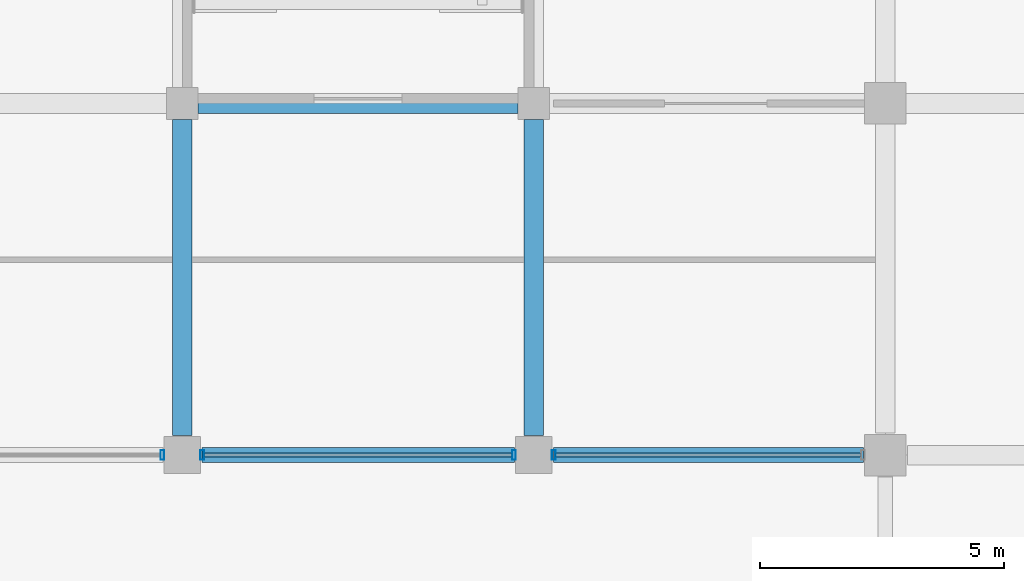
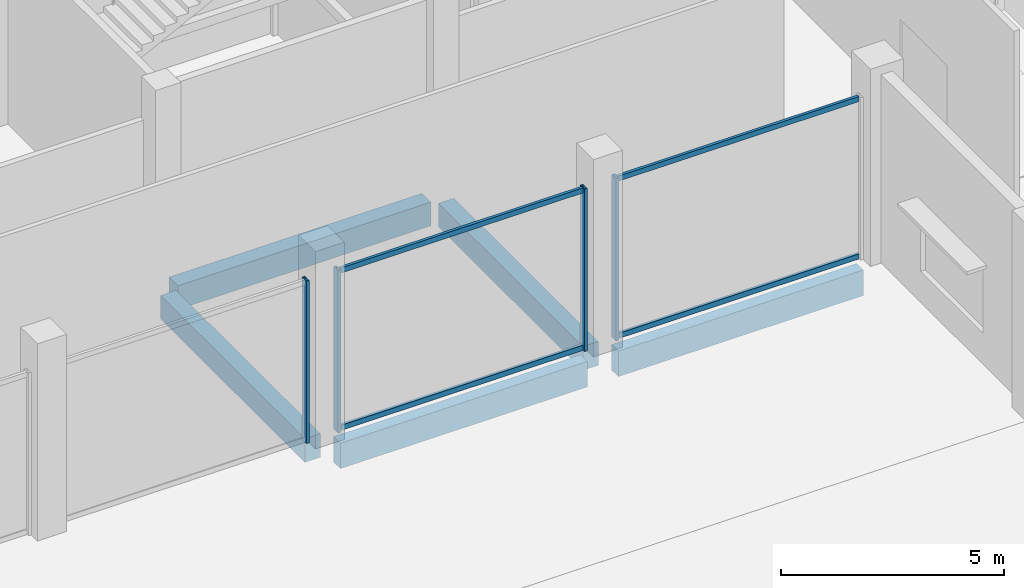
# One storey, part 44 of 90: 8 members, 5 beams, 3 elements without a shape of their own.
"""IFC4 building model written with IfcOpenShell, lengths in metres."""

import ifcopenshell
import ifcopenshell.guid

model = None  # the IFC model being written
_history = None  # IfcOwnerHistory: only IFC2X3 demands one
_inside = {}  # id of a spatial element -> (the spatial element, [elements in it])
_under = {}  # id of a project, library or spatial element -> (it, [spatial elements below it])
_declared = {}  # id of a project -> (the project, [libraries it declares])
_typed = {}  # id of a type object -> (the type object, [elements of that type])
_made_of = {}  # id of a material, layer set ... -> (it, [elements and type objects made of it])


def new_model(schema):
    """Start an empty IFC model of exactly this schema.

    Asked for "IFC4X3", IfcOpenShell would pick the latest addendum, in which some entities
    have other attributes; the version numbers below select the first issue.
    IFC2X3 requires an IfcOwnerHistory on every rooted entity: one is made here for all.
    """
    global model, _history
    if schema == "IFC4X3":
        model = ifcopenshell.file(schema_version=(4, 3, 0, 0))
    else:
        model = ifcopenshell.file(schema=schema)
    _inside.clear()
    _under.clear()
    _declared.clear()
    _typed.clear()
    _made_of.clear()
    _history = None
    if model.schema == "IFC2X3":
        org = make("IfcOrganization", Name="unknown")
        user = make(
            "IfcPersonAndOrganization",
            ThePerson=make("IfcPerson", FamilyName="unknown"),
            TheOrganization=org,
        )
        app = make(
            "IfcApplication",
            ApplicationDeveloper=org,
            Version="unknown",
            ApplicationFullName="unknown",
            ApplicationIdentifier="unknown",
        )
        _history = make(
            "IfcOwnerHistory",
            OwningUser=user,
            OwningApplication=app,
            ChangeAction="ADDED",
            CreationDate=0,
        )
    return model


def make(cls, **values):
    """One entity of the class cls with the attributes given. An attribute that is None is left unset."""
    return model.create_entity(
        cls, **{name: value for name, value in values.items() if value is not None}
    )


def rooted(cls, **values):
    """An entity with a GlobalId (a new one), such as an element, a storey or a relation."""
    return make(cls, GlobalId=ifcopenshell.guid.new(), OwnerHistory=_history, **values)


def si_unit(unit_type, name, prefix=None):
    """IfcSIUnit, for example si_unit("LENGTHUNIT", "METRE", prefix="MILLI")."""
    return make("IfcSIUnit", UnitType=unit_type, Prefix=prefix, Name=name)


def assignment(units):
    """IfcUnitAssignment: the units of a project."""
    return None if units is None else make("IfcUnitAssignment", Units=units)


def point(xyz):
    """IfcCartesianPoint."""
    return None if xyz is None else make("IfcCartesianPoint", Coordinates=xyz)


def direction(xyz):
    """IfcDirection."""
    return None if xyz is None else make("IfcDirection", DirectionRatios=xyz)


def frame(location, z_axis=None, x_axis=None):
    """IfcAxis2Placement3D, a coordinate frame: its origin and axes. An axis left out is left unset."""
    return make(
        "IfcAxis2Placement3D",
        Location=point(location),
        Axis=direction(z_axis),
        RefDirection=direction(x_axis),
    )


def frame_2d(location, x_axis=None):
    """IfcAxis2Placement2D, a coordinate frame in the plane: its origin and x axis."""
    return make(
        "IfcAxis2Placement2D", Location=point(location), RefDirection=direction(x_axis)
    )


def origin():
    """The frame at (0, 0, 0) with its axes left unset."""
    return frame((0.0, 0.0, 0.0))


def origin_2d():
    """The frame at (0, 0) in the plane with its x axis left unset."""
    return frame_2d((0.0, 0.0))


def place(relative_to, where):
    """IfcLocalPlacement: puts the frame where relative to a parent placement (None: the world)."""
    return make(
        "IfcLocalPlacement", PlacementRelTo=relative_to, RelativePlacement=where
    )


def context(
    kind, dimensions, precision=None, world=None, true_north=None, identifier=None
):
    """IfcGeometricRepresentationContext, for example the 3D "Model" context."""
    return make(
        "IfcGeometricRepresentationContext",
        ContextIdentifier=identifier,
        ContextType=kind,
        CoordinateSpaceDimension=dimensions,
        Precision=precision,
        WorldCoordinateSystem=world,
        TrueNorth=true_north,
    )


def subcontext(parent, identifier, kind, view, scale=None):
    """IfcGeometricRepresentationSubContext, for example "Body" below "Model"."""
    return make(
        "IfcGeometricRepresentationSubContext",
        ContextIdentifier=identifier,
        ContextType=kind,
        ParentContext=parent,
        TargetScale=scale,
        TargetView=view,
    )


def project(units=None, contexts=None):
    """IfcProject with its units and contexts."""
    return rooted(
        "IfcProject",
        Name="project",
        RepresentationContexts=contexts,
        UnitsInContext=assignment(units),
    )


def spatial(cls, under=None, at=None, **own):
    """A site, building, storey or space (cls), placed at a placement, below another one or the project."""
    s = rooted(cls, ObjectPlacement=at, **own)
    if under is not None:
        _under.setdefault(under.id(), (under, []))[1].append(s)
    return s


def profile(cls, at=None, kind="AREA", **sizes):
    """A parametric profile (cls). Its sizes go by their IFC names, for example OverallWidth=200.0."""
    return make(cls, ProfileType=kind, Position=at, **sizes)


def rectangle(**sizes):
    """IfcRectangleProfileDef."""
    return profile("IfcRectangleProfileDef", **sizes)


def hollow_rectangle(**sizes):
    """IfcRectangleHollowProfileDef."""
    return profile("IfcRectangleHollowProfileDef", **sizes)


def extrude(swept, where, along, depth):
    """IfcExtrudedAreaSolid: the profile swept, set in the frame where, extruded along a direction by depth."""
    return make(
        "IfcExtrudedAreaSolid",
        SweptArea=swept,
        Position=where,
        ExtrudedDirection=direction(along),
        Depth=depth,
    )


def shape(context_of_items, identifier, shape_type, items):
    """IfcShapeRepresentation: the items that make up one representation, for example the "Body"."""
    return make(
        "IfcShapeRepresentation",
        ContextOfItems=context_of_items,
        RepresentationIdentifier=identifier,
        RepresentationType=shape_type,
        Items=items,
    )


def material(Name=None, Category=None):
    """IfcMaterial."""
    return make("IfcMaterial", Name=Name, Category=Category)


def layer(
    of_material, thickness, ventilated=None, Name=None, Category=None, Priority=None
):
    """IfcMaterialLayer: one layer of a wall or slab, of a material (None: an air gap)."""
    return make(
        "IfcMaterialLayer",
        Material=of_material,
        LayerThickness=thickness,
        IsVentilated=ventilated,
        Name=Name,
        Category=Category,
        Priority=Priority,
    )


def layer_set(layers, Name=None):
    """IfcMaterialLayerSet."""
    return make("IfcMaterialLayerSet", MaterialLayers=layers, LayerSetName=Name)


def material_profile(
    of_material, cross_section, Name=None, Category=None, Priority=None
):
    """IfcMaterialProfile: a cross section and its material."""
    return make(
        "IfcMaterialProfile",
        Name=Name,
        Material=of_material,
        Profile=cross_section,
        Priority=Priority,
        Category=Category,
    )


def profile_set(profiles, Name=None, composite=None):
    """IfcMaterialProfileSet."""
    return make(
        "IfcMaterialProfileSet",
        Name=Name,
        MaterialProfiles=profiles,
        CompositeProfile=composite,
    )


def made_of(thing, what):
    """Note that an element or type object is made of a material, layer set ...; save() writes the relation."""
    if what is not None:
        _made_of.setdefault(what.id(), (what, []))[1].append(thing)
    return thing


def type_object(cls, material=None, **own):
    """A type object (cls), such as IfcWallType, which elements share."""
    return made_of(rooted(cls, **own), material)


def element(
    cls,
    number,
    at=None,
    inside=None,
    cuts=None,
    type_object=None,
    material=None,
    context=None,
    identifier="Body",
    shape_type=None,
    held_by="IfcProductDefinitionShape",
    body=None,
    shapes=None,
    **own,
):
    """One element of the class cls, such as IfcWall. Its Tag is "e" and its number.

    at: its placement. inside: the storey or other place that contains it. cuts: it is an
    opening in that element (IfcRelVoidsElement). A single representation is given by context,
    identifier, shape_type and body (its items); several are given by shapes. held_by: the class
    of the entity that holds the representations. save() writes the other relations.
    """
    e = rooted(cls, Tag="e%d" % number, ObjectPlacement=at, **own)
    if body is not None:
        shapes = [shape(context, identifier, shape_type, body)]
    if shapes is not None:
        e.Representation = make(held_by, Representations=shapes)
    if inside is not None:
        _inside.setdefault(inside.id(), (inside, []))[1].append(e)
    if cuts is not None:
        rooted(
            "IfcRelVoidsElement", RelatingBuildingElement=cuts, RelatedOpeningElement=e
        )
    if type_object is not None:
        _typed.setdefault(type_object.id(), (type_object, []))[1].append(e)
    return made_of(e, material)


def aggregate(whole, parts):
    """IfcRelAggregates: a whole, such as a stair, and the parts it consists of."""
    return rooted("IfcRelAggregates", RelatingObject=whole, RelatedObjects=parts)


def save(model, path):
    """Write the relations noted so far, then the file.

    IfcRelAggregates (storeys below a building ...), IfcRelContainedInSpatialStructure (elements
    in a storey), IfcRelDefinesByType, IfcRelAssociatesMaterial and IfcRelDeclares: one each for
    every whole, place, type object, material and project.
    """
    for whole, parts in _under.values():
        aggregate(whole, parts)
    for where, things in _inside.values():
        rooted(
            "IfcRelContainedInSpatialStructure",
            RelatedElements=things,
            RelatingStructure=where,
        )
    for kind, things in _typed.values():
        rooted("IfcRelDefinesByType", RelatedObjects=things, RelatingType=kind)
    for what, things in _made_of.values():
        rooted("IfcRelAssociatesMaterial", RelatedObjects=things, RelatingMaterial=what)
    for by, libraries in _declared.values():
        rooted("IfcRelDeclares", RelatingContext=by, RelatedDefinitions=libraries)
    model.write(path)


model = new_model("IFC4")

# Units and contexts
model_context = context("Model", 3, precision=1e-05, world=origin(), true_north=direction((0.0, 1.0)))
body_context = subcontext(model_context, "Body", "Model", "MODEL_VIEW")
ifc_project = project(units=[si_unit("LENGTHUNIT", "METRE"), si_unit("AREAUNIT", "SQUARE_METRE"), si_unit("VOLUMEUNIT", "CUBIC_METRE"), si_unit("PLANEANGLEUNIT", "RADIAN"), si_unit("MASSUNIT", "GRAM", prefix="KILO")], contexts=[model_context])

# Site, building, storey
site_placement = place(None, origin())
site = spatial("IfcSite", under=ifc_project, at=site_placement, CompositionType="ELEMENT")
building_placement = place(site_placement, origin())
building = spatial("IfcBuilding", under=site, at=building_placement, Name="Kangsadwip Square Police Headquarters", CompositionType="ELEMENT")
storey_placement = place(building_placement, origin())
storey = spatial("IfcBuildingStorey", under=building, at=storey_placement, Name="L00", CompositionType="ELEMENT", Elevation=0.0)

# Curtain wall, member
ifc_material_1 = material(Name="Thermally broken anodised aluminium AW-6063-T6", Category="aluminium")
ifc_layer_1 = layer(ifc_material_1, 0.159912109375)
ifc_layer_set_1 = layer_set([ifc_layer_1], Name="Thermally broken anodised aluminium AW-6063-T6")
curtain_wall_type_1 = type_object("IfcCurtainWallType", Name="CourtScreen6460x4450", PredefinedType="USERDEFINED", material=ifc_layer_set_1)
curtain_wall_1_placement = place(storey_placement, origin())
curtain_wall_1 = element("IfcCurtainWall", 1, at=curtain_wall_1_placement, inside=storey, type_object=curtain_wall_type_1, Name="Curtain Wall CW-L00-1228-0936", ObjectType="GLAZED_SCREEN", PredefinedType="USERDEFINED")
ifc_material_2 = material(Name="Thermally broken anodised aluminium AW-6063-T6", Category="aluminium")
ifc_material_profile_1 = material_profile(ifc_material_2, hollow_rectangle(XDim=0.074951171875, YDim=0.199951171875, WallThickness=0.0048828125, at=origin_2d()), Name="CWM 200X75X5")
ifc_profile_set_1 = profile_set([ifc_material_profile_1], Name="Thermally broken anodised aluminium AW-6063-T6")
member_type_1 = type_object("IfcMemberType", Name="CwMullion180x75", PredefinedType="MULLION", material=ifc_profile_set_1)
member_1_placement = place(storey_placement, frame((129.1923828125, 93.60009765625, 0.0), z_axis=(0.0, 0.0, 1.0), x_axis=(1.0, 0.0, 0.0)))
member_1 = element("IfcMember", 2, at=member_1_placement, type_object=member_type_1, Name="CW-04 mullion 2", PredefinedType="MULLION", context=body_context, shape_type="SweptSolid", body=[
    extrude(hollow_rectangle(XDim=0.074951171875, YDim=0.199951171875, WallThickness=0.0048828125, at=origin_2d()), origin(), (0.0, 0.0, 1.0), 4.449951171875),
])
aggregate(curtain_wall_1, [member_1])

# Curtain wall, members
curtain_wall_2_placement = place(storey_placement, origin())
curtain_wall_2 = element("IfcCurtainWall", 3, at=curtain_wall_2_placement, inside=storey, type_object=curtain_wall_type_1, Name="Curtain Wall CW-L00-1300-0936", ObjectType="GLAZED_SCREEN", PredefinedType="USERDEFINED")
member_2_placement = place(storey_placement, frame((130.007568359375, 93.60009765625, 0.0), z_axis=(0.0, 0.0, 1.0), x_axis=(1.0, 0.0, 0.0)))
member_2 = element("IfcMember", 4, at=member_2_placement, type_object=member_type_1, Name="CW-04 mullion 1", PredefinedType="MULLION", context=body_context, shape_type="SweptSolid", body=[
    extrude(hollow_rectangle(XDim=0.074951171875, YDim=0.199951171875, WallThickness=0.0048828125, at=origin_2d()), origin(), (0.0, 0.0, 1.0), 4.449951171875),
])
member_3_placement = place(storey_placement, frame((136.392578125, 93.60009765625, 0.0), z_axis=(0.0, 0.0, 1.0), x_axis=(1.0, 0.0, 0.0)))
member_3 = element("IfcMember", 5, at=member_3_placement, type_object=member_type_1, Name="CW-04 mullion 2", PredefinedType="MULLION", context=body_context, shape_type="SweptSolid", body=[
    extrude(hollow_rectangle(XDim=0.074951171875, YDim=0.199951171875, WallThickness=0.0048828125, at=origin_2d()), origin(), (0.0, 0.0, 1.0), 4.449951171875),
])

# Curtain wall, member
ifc_material_3 = material(Name="Thermally broken anodised aluminium AW-6063-T6", Category="aluminium")
ifc_layer_2 = layer(ifc_material_3, 0.159912109375)
ifc_layer_set_2 = layer_set([ifc_layer_2], Name="Thermally broken anodised aluminium AW-6063-T6")
curtain_wall_type_2 = type_object("IfcCurtainWallType", Name="CourtScreen6410x4450", PredefinedType="USERDEFINED", material=ifc_layer_set_2)
curtain_wall_3_placement = place(storey_placement, origin())
curtain_wall_3 = element("IfcCurtainWall", 6, at=curtain_wall_3_placement, inside=storey, type_object=curtain_wall_type_2, Name="Curtain Wall CW-L00-1372-0936", ObjectType="GLAZED_SCREEN", PredefinedType="USERDEFINED")
member_4_placement = place(storey_placement, frame((137.20751953125, 93.60009765625, 0.0), z_axis=(0.0, 0.0, 1.0), x_axis=(1.0, 0.0, 0.0)))
member_4 = element("IfcMember", 7, at=member_4_placement, type_object=member_type_1, Name="CW-05 mullion 1", PredefinedType="MULLION", context=body_context, shape_type="SweptSolid", body=[
    extrude(hollow_rectangle(XDim=0.074951171875, YDim=0.199951171875, WallThickness=0.0048828125, at=origin_2d()), origin(), (0.0, 0.0, 1.0), 4.449951171875),
])

# Member
ifc_material_4 = material(Name="Thermally broken anodised aluminium AW-6063-T6", Category="aluminium")
ifc_material_profile_2 = material_profile(ifc_material_4, hollow_rectangle(XDim=0.074951171875, YDim=0.139892578125, WallThickness=0.0048828125, at=origin_2d()), Name="CWT 140X75X5")
ifc_profile_set_2 = profile_set([ifc_material_profile_2], Name="Thermally broken anodised aluminium AW-6063-T6")
member_type_2 = type_object("IfcMemberType", Name="CwTransom160x65", PredefinedType="USERDEFINED", material=ifc_profile_set_2)
member_5_placement = place(storey_placement, frame((130.044921875, 93.60009765625, 0.070068359375), z_axis=(1.0, 0.0, 0.0), x_axis=(0.0, 1.0, 0.0)))
member_5 = element("IfcMember", 8, at=member_5_placement, type_object=member_type_2, Name="CW-04 transom 1.1", ObjectType="TRANSOM", PredefinedType="USERDEFINED", context=body_context, shape_type="SweptSolid", body=[
    extrude(hollow_rectangle(XDim=0.074951171875, YDim=0.139892578125, WallThickness=0.0048828125, at=origin_2d()), origin(), (0.0, 0.0, 1.0), 6.31005859375),
])

member_6_placement = place(storey_placement, frame((130.044921875, 93.60009765625, 4.3798828125), z_axis=(1.0, 0.0, 0.0), x_axis=(0.0, 1.0, 0.0)))
member_6 = element("IfcMember", 9, at=member_6_placement, type_object=member_type_2, Name="CW-04 transom 1.2", ObjectType="TRANSOM", PredefinedType="USERDEFINED", context=body_context, shape_type="SweptSolid", body=[
    extrude(hollow_rectangle(XDim=0.074951171875, YDim=0.139892578125, WallThickness=0.0048828125, at=origin_2d()), origin(), (0.0, 0.0, 1.0), 6.31005859375),
])

aggregate(curtain_wall_2, [member_2, member_3, member_5, member_6])

member_7_placement = place(storey_placement, frame((137.2451171875, 93.60009765625, 0.070068359375), z_axis=(1.0, 0.0, 0.0), x_axis=(0.0, 1.0, 0.0)))
member_7 = element("IfcMember", 10, at=member_7_placement, type_object=member_type_2, Name="CW-05 transom 1.1", ObjectType="TRANSOM", PredefinedType="USERDEFINED", context=body_context, shape_type="SweptSolid", body=[
    extrude(hollow_rectangle(XDim=0.074951171875, YDim=0.139892578125, WallThickness=0.0048828125, at=origin_2d()), origin(), (0.0, 0.0, 1.0), 6.259765625),
])

member_8_placement = place(storey_placement, frame((137.2451171875, 93.60009765625, 4.3798828125), z_axis=(1.0, 0.0, 0.0), x_axis=(0.0, 1.0, 0.0)))
member_8 = element("IfcMember", 11, at=member_8_placement, type_object=member_type_2, Name="CW-05 transom 1.2", ObjectType="TRANSOM", PredefinedType="USERDEFINED", context=body_context, shape_type="SweptSolid", body=[
    extrude(hollow_rectangle(XDim=0.074951171875, YDim=0.139892578125, WallThickness=0.0048828125, at=origin_2d()), origin(), (0.0, 0.0, 1.0), 6.259765625),
])

aggregate(curtain_wall_3, [member_4, member_7, member_8])

# Beams
ifc_material_5 = material(Name="Concrete M35 (35 MPa)", Category="concrete")
ifc_material_profile_3 = material_profile(ifc_material_5, rectangle(XDim=0.39990234375, YDim=0.64990234375, at=origin_2d()), Name="RC BM 650X400")
ifc_profile_set_3 = profile_set([ifc_material_profile_3], Name="Concrete M35 (35 MPa)")
beam_type_1 = type_object("IfcBeamType", Name="RcBeam650x400", PredefinedType="BEAM", material=ifc_profile_set_3)
beam_1_placement = place(storey_placement, frame((129.925048828125, 100.800048828125, -0.574951171875), z_axis=(1.0, 0.0, 0.0), x_axis=(0.0, 1.0, 0.0)))
element("IfcBeam", 12, at=beam_1_placement, inside=storey, type_object=beam_type_1, Name="Beam BM-L00-X-18-14", PredefinedType="BEAM", context=body_context, shape_type="SweptSolid", body=[
    extrude(rectangle(XDim=0.39990234375, YDim=0.64990234375, at=origin_2d()), origin(), (0.0, 0.0, 1.0), 6.550048828125),
])
for number, where, z_axis, x_axis, name in (
    (13, (129.60009765625, 94.0, -0.574951171875), (0.0, 1.0, 0.0), (-1.0, 0.0, 0.0), "Beam BM-L00-Y-18-13"),
    (14, (136.800048828125, 94.0, -0.574951171875), (0.0, 1.0, 0.0), (-1.0, 0.0, 0.0), "Beam BM-L00-Y-19-13"),
):
    element("IfcBeam", number, at=place(storey_placement, frame(where, z_axis=z_axis, x_axis=x_axis)), inside=storey, type_object=beam_type_1, Name=name, PredefinedType="BEAM", context=body_context, shape_type="SweptSolid", body=[
        extrude(rectangle(XDim=0.39990234375, YDim=0.64990234375, at=origin_2d()), origin(), (0.0, 0.0, 1.0), 6.47509765625),
    ])
ifc_material_6 = material(Name="Concrete M40 (40 MPa)", Category="concrete")
ifc_material_profile_4 = material_profile(ifc_material_6, rectangle(XDim=0.300048828125, YDim=0.699951171875, at=origin_2d()), Name="RC SPN 700X300")
ifc_profile_set_4 = profile_set([ifc_material_profile_4], Name="Concrete M40 (40 MPa)")
beam_type_2 = type_object("IfcBeamType", Name="RcSpandrel700x300", PredefinedType="SPANDREL", material=ifc_profile_set_4)
beam_2_placement = place(storey_placement, frame((130.0, 93.60009765625, -0.60009765625), z_axis=(1.0, 0.0, 0.0), x_axis=(0.0, 1.0, 0.0)))
element("IfcBeam", 15, at=beam_2_placement, inside=storey, type_object=beam_type_2, Name="Beam BM-L00-X-18-13", PredefinedType="SPANDREL", context=body_context, shape_type="SweptSolid", body=[
    extrude(rectangle(XDim=0.300048828125, YDim=0.699951171875, at=origin_2d()), origin(), (0.0, 0.0, 1.0), 6.39990234375),
])
beam_3_placement = place(storey_placement, frame((137.199951171875, 93.60009765625, -0.60009765625), z_axis=(1.0, 0.0, 0.0), x_axis=(0.0, 1.0, 0.0)))
element("IfcBeam", 16, at=beam_3_placement, inside=storey, type_object=beam_type_2, Name="Beam BM-L00-X-19-13", PredefinedType="SPANDREL", context=body_context, shape_type="SweptSolid", body=[
    extrude(rectangle(XDim=0.300048828125, YDim=0.699951171875, at=origin_2d()), origin(), (0.0, 0.0, 1.0), 6.35009765625),
])

save(model, "model.ifc")
